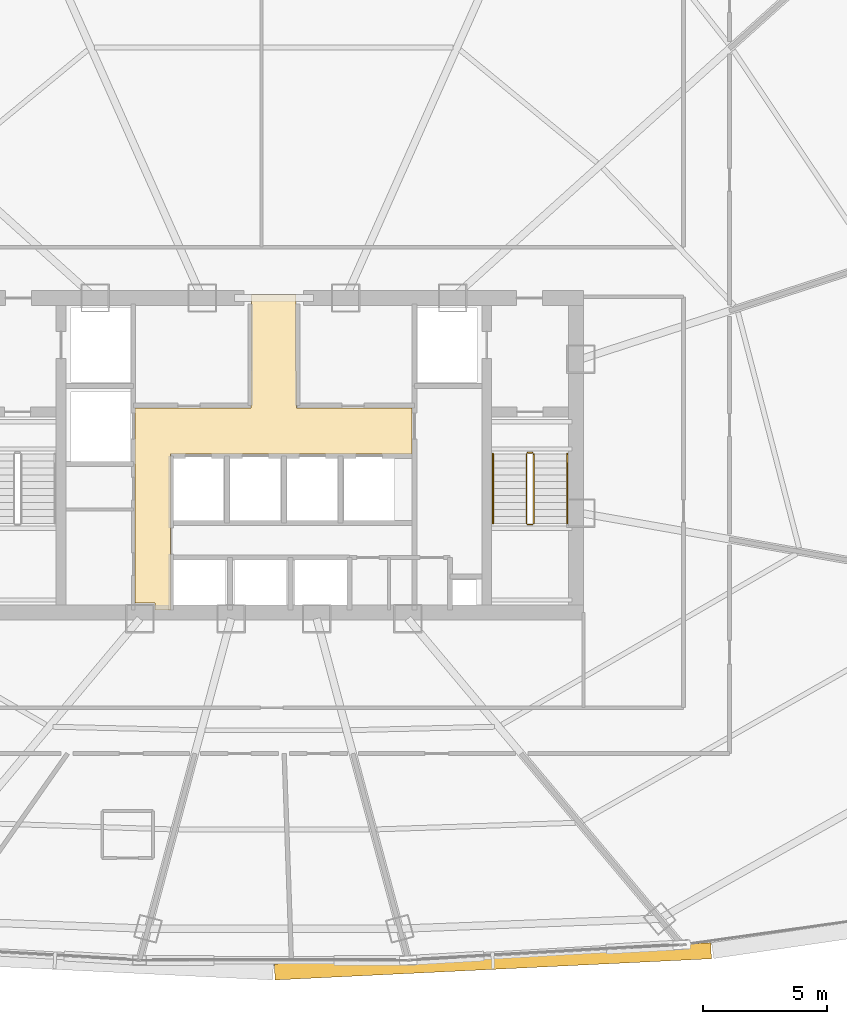
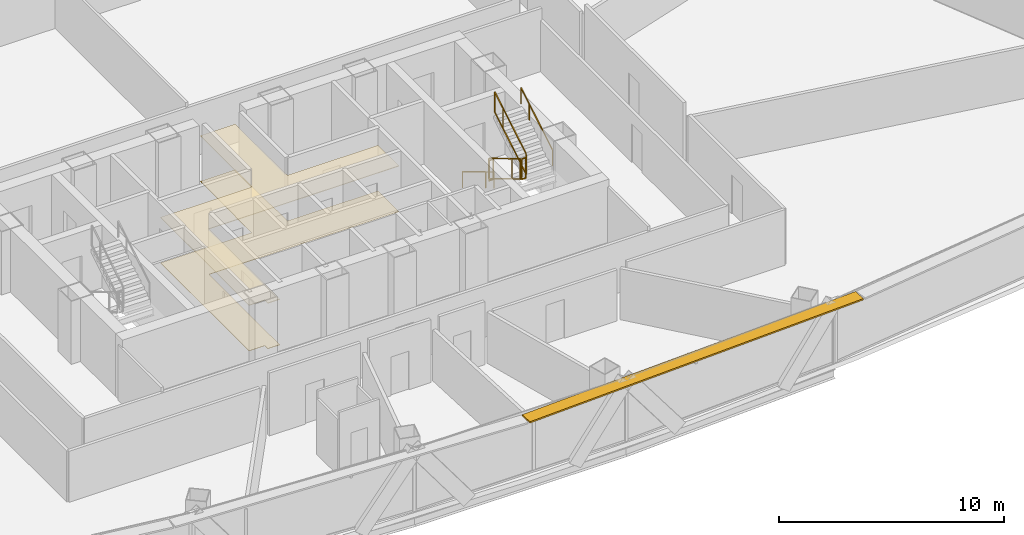
# One storey, part 39 of 41: 6 railings, 2 coverings, 1 shading device.
"""IFC4 building model written with IfcOpenShell, lengths in metres."""

from ifc_helpers import new_model, si_unit, direction, frame, origin, origin_2d, place, context, subcontext, project, spatial, polyline, rectangle, outline, extrude, source, transform, mapped, material, layer, layer_set, type_object, element, save


model = new_model("IFC4")

# Units and contexts
model_context = context("Model", 3, precision=1e-05, world=origin(), true_north=direction((0.0, 1.0)))
body_context = subcontext(model_context, "Body", "Model", "MODEL_VIEW")
ifc_project = project(units=[si_unit("LENGTHUNIT", "METRE"), si_unit("AREAUNIT", "SQUARE_METRE"), si_unit("VOLUMEUNIT", "CUBIC_METRE"), si_unit("PLANEANGLEUNIT", "RADIAN"), si_unit("MASSUNIT", "GRAM", prefix="KILO"), si_unit("THERMODYNAMICTEMPERATUREUNIT", "KELVIN"), si_unit("POWERUNIT", "WATT")], contexts=[model_context])

# Site, building, storey
site_placement = place(None, origin())
site = spatial("IfcSite", under=ifc_project, at=site_placement, CompositionType="ELEMENT")
building_placement = place(site_placement, origin())
building = spatial("IfcBuilding", under=site, at=building_placement, Name="Yunzhuo Pagoda Commons", CompositionType="ELEMENT")
storey_placement = place(building_placement, frame((0.0, 0.0, 155.590087890625)))
storey = spatial("IfcBuildingStorey", under=building, at=storey_placement, Name="L39", CompositionType="ELEMENT", Elevation=155.590087890625)

# Coverings
ifc_material_1 = material(Name="Perforated gypsum acoustic ceiling tile")
ifc_layer_1 = layer(ifc_material_1, 0.030029296875)
ifc_layer_set_1 = layer_set([ifc_layer_1], Name="Perforated gypsum acoustic ceiling tile")
covering_type_1 = type_object("IfcCoveringType", Name="COV-CL2 Ceiling 30", PredefinedType="CEILING", material=ifc_layer_set_1)
covering_1_placement = place(storey_placement, frame((0.0, 0.0, 2.469970703125)))
element("IfcCovering", 1, at=covering_1_placement, inside=storey, type_object=covering_type_1, Name="L39 lift lobby acoustic ceiling", PredefinedType="CEILING", context=body_context, shape_type="SweptSolid", body=[
    extrude(outline(polyline([(42.39990234375, 35.75), (47.080078125, 35.75), (47.080078125, 37.25), (47.10009765625, 37.25), (47.10009765625, 40.35009765625), (48.89990234375, 40.35009765625), (48.89990234375, 37.25), (48.919921875, 37.25), (48.919921875, 35.75), (53.580078125, 35.75), (53.580078125, 33.89990234375), (43.820068359375, 33.89990234375), (43.820068359375, 27.60009765625), (43.207763671875, 27.60009765625), (43.207763671875, 27.85009765625), (43.201904296875, 27.864013671875), (43.187744140625, 27.8701171875), (42.39990234375, 27.8701171875), (42.39990234375, 33.89990234375), (42.39990234375, 35.75)])), origin(), (0.0, 0.0, 1.0), 0.030029296875),
])
ifc_material_2 = material(Name="Porcelain ceramic floor tile")
ifc_layer_2 = layer(ifc_material_2, 0.02001953125)
ifc_layer_set_2 = layer_set([ifc_layer_2], Name="Porcelain ceramic floor tile")
covering_type_2 = type_object("IfcCoveringType", Name="COV-FL1 Flooring 20", PredefinedType="FLOORING", material=ifc_layer_set_2)
covering_2_placement = place(storey_placement, origin())
element("IfcCovering", 2, at=covering_2_placement, inside=storey, type_object=covering_type_2, Name="L39 lift lobby flooring", PredefinedType="FLOORING", context=body_context, shape_type="SweptSolid", body=[
    extrude(outline(polyline([(42.39990234375, 35.75), (47.080078125, 35.75), (47.080078125, 37.25), (47.10009765625, 37.25), (47.10009765625, 40.35009765625), (48.89990234375, 40.35009765625), (48.89990234375, 37.25), (48.919921875, 37.25), (48.919921875, 35.75), (53.580078125, 35.75), (53.580078125, 33.89990234375), (43.820068359375, 33.89990234375), (43.820068359375, 27.60009765625), (43.207763671875, 27.60009765625), (43.207763671875, 27.85009765625), (43.201904296875, 27.864013671875), (43.187744140625, 27.8701171875), (42.39990234375, 27.8701171875), (42.39990234375, 33.89990234375), (42.39990234375, 35.75)])), origin(), (0.0, 0.0, 1.0), 0.02001953125),
])

# Railings
ifc_material_3 = material(Name="Anodized aluminium 6063-T6", Category="aluminium")
railing_type_1 = type_object("IfcRailingType", Name="GR-ST2 Stair Well Guardrail 1160", PredefinedType="GUARDRAIL", material=ifc_material_3)
railing_1_placement = place(storey_placement, frame((58.199951171875, 33.89990234375, 0.167236328125)))
element("IfcRailing", 3, at=railing_1_placement, inside=storey, type_object=railing_type_1, Name="L39 ST2 stair guard 1", PredefinedType="GUARDRAIL", context=body_context, shape_type="SweptSolid", body=[
    extrude(rectangle(XDim=0.048095703125, YDim=0.048095703125, at=origin_2d()), frame((0.0, 0.0, 1.1259765625), z_axis=(0.0, -0.858475523978, 0.512854535645), x_axis=(1.0, 0.0, 0.0)), (0.0, 0.0, 1.0), 3.261474609375),
    extrude(rectangle(XDim=0.048095703125, YDim=0.048095703125, at=origin_2d()), frame((0.0, 0.0, 0.02392578125), z_axis=(0.0, -0.858475523978, 0.512854535645), x_axis=(1.0, 0.0, 0.0)), (0.0, 0.0, 1.0), 3.261474609375),
    extrude(rectangle(XDim=0.0419921875, YDim=0.0419921875, at=origin_2d()), origin(), (0.0, 0.0, 1.0), 1.101806640625),
    extrude(rectangle(XDim=0.0419921875, YDim=0.0419921875, at=origin_2d()), frame((0.0, -2.060302734375, 1.23095703125)), (0.0, 0.0, 1.0), 1.101806640625),
    extrude(rectangle(XDim=0.0419921875, YDim=0.0419921875, at=origin_2d()), frame((0.0, -2.7998046875, 1.672607421875)), (0.0, 0.0, 1.0), 1.101806640625),
])
railing_2_placement = place(storey_placement, frame((58.25, 31.050048828125, 1.83984375)))
element("IfcRailing", 4, at=railing_2_placement, inside=storey, type_object=railing_type_1, Name="L39 ST2 stair guard 2", PredefinedType="GUARDRAIL", context=body_context, shape_type="SweptSolid", body=[
    extrude(rectangle(XDim=0.048095703125, YDim=0.048095703125, at=origin_2d()), frame((0.0, 0.0, 1.1259765625), z_axis=(1.0, 0.0, 0.0), x_axis=(0.0, 1.0, 0.0)), (0.0, 0.0, 1.0), 0.199951171875),
    extrude(rectangle(XDim=0.048095703125, YDim=0.048095703125, at=origin_2d()), frame((0.0, 0.0, 0.02392578125), z_axis=(1.0, 0.0, 0.0), x_axis=(0.0, 1.0, 0.0)), (0.0, 0.0, 1.0), 0.199951171875),
    extrude(rectangle(XDim=0.0419921875, YDim=0.0419921875, at=origin_2d()), origin(), (0.0, 0.0, 1.0), 1.101806640625),
    extrude(rectangle(XDim=0.0419921875, YDim=0.0419921875, at=origin_2d()), frame((0.199951171875, 0.0, 0.0)), (0.0, 0.0, 1.0), 1.101806640625),
])
railing_3_placement = place(storey_placement, frame((58.5, 31.10009765625, 2.007080078125)))
element("IfcRailing", 5, at=railing_3_placement, inside=storey, type_object=railing_type_1, Name="L39 ST2 stair guard 3", PredefinedType="GUARDRAIL", context=body_context, shape_type="SweptSolid", body=[
    extrude(rectangle(XDim=0.048095703125, YDim=0.048095703125, at=origin_2d()), frame((0.0, 0.0, 1.1259765625), z_axis=(0.0, 0.858442565357, 0.512909701589), x_axis=(-1.0, 0.0, 0.0)), (0.0, 0.0, 1.0), 3.261474609375),
    extrude(rectangle(XDim=0.048095703125, YDim=0.048095703125, at=origin_2d()), frame((0.0, 0.0, 0.02392578125), z_axis=(0.0, 0.858442565357, 0.512909701589), x_axis=(-1.0, 0.0, 0.0)), (0.0, 0.0, 1.0), 3.261474609375),
    extrude(rectangle(XDim=0.0419921875, YDim=0.0419921875, at=origin_2d()), origin(), (0.0, 0.0, 1.0), 1.101806640625),
    extrude(rectangle(XDim=0.0419921875, YDim=0.0419921875, at=origin_2d()), frame((0.0, 2.060302734375, 1.23095703125)), (0.0, 0.0, 1.0), 1.101806640625),
    extrude(rectangle(XDim=0.0419921875, YDim=0.0419921875, at=origin_2d()), frame((0.0, 2.7998046875, 1.6728515625)), (0.0, 0.0, 1.0), 1.101806640625),
])
railing_4_placement = place(storey_placement, frame((58.25, 33.949951171875, 0.0)))
element("IfcRailing", 6, at=railing_4_placement, inside=storey, type_object=railing_type_1, Name="L39 ST2 stair guard 4", PredefinedType="GUARDRAIL", context=body_context, shape_type="SweptSolid", body=[
    extrude(rectangle(XDim=0.048095703125, YDim=0.048095703125, at=origin_2d()), frame((0.0, 0.0, 1.1259765625), z_axis=(1.0, 0.0, 0.0), x_axis=(0.0, 1.0, 0.0)), (0.0, 0.0, 1.0), 0.199951171875),
    extrude(rectangle(XDim=0.048095703125, YDim=0.048095703125, at=origin_2d()), frame((0.0, 0.0, 0.02392578125), z_axis=(1.0, 0.0, 0.0), x_axis=(0.0, 1.0, 0.0)), (0.0, 0.0, 1.0), 0.199951171875),
    extrude(rectangle(XDim=0.0419921875, YDim=0.0419921875, at=origin_2d()), origin(), (0.0, 0.0, 1.0), 1.101806640625),
    extrude(rectangle(XDim=0.0419921875, YDim=0.0419921875, at=origin_2d()), frame((0.199951171875, 0.0, 0.0)), (0.0, 0.0, 1.0), 1.101806640625),
])
railing_type_2 = type_object("IfcRailingType", Name="HR-ST2 Stair Handrail 900", PredefinedType="HANDRAIL", material=ifc_material_3)
railing_5_placement = place(storey_placement, frame((56.85009765625, 33.89990234375, 0.167236328125)))
element("IfcRailing", 7, at=railing_5_placement, inside=storey, type_object=railing_type_2, Name="L39 ST2 stair handrail 1", PredefinedType="HANDRAIL", context=body_context, shape_type="SweptSolid", body=[
    extrude(rectangle(XDim=0.048095703125, YDim=0.048095703125, at=origin_2d()), frame((0.0, 0.0, 0.8759765625), z_axis=(0.0, -0.858475523978, 0.512854535645), x_axis=(1.0, 0.0, 0.0)), (0.0, 0.0, 1.0), 3.261474609375),
    extrude(rectangle(XDim=0.0419921875, YDim=0.0419921875, at=origin_2d()), origin(), (0.0, 0.0, 1.0), 0.851806640625),
    extrude(rectangle(XDim=0.0419921875, YDim=0.0419921875, at=origin_2d()), frame((0.0, -2.060302734375, 1.23095703125)), (0.0, 0.0, 1.0), 0.851806640625),
    extrude(rectangle(XDim=0.0419921875, YDim=0.0419921875, at=origin_2d()), frame((0.0, -2.7998046875, 1.672607421875)), (0.0, 0.0, 1.0), 0.851806640625),
])
railing_6_placement = place(storey_placement, frame((59.85009765625, 31.10009765625, 2.007080078125)))
element("IfcRailing", 8, at=railing_6_placement, inside=storey, type_object=railing_type_2, Name="L39 ST2 stair handrail 2", PredefinedType="HANDRAIL", context=body_context, shape_type="SweptSolid", body=[
    extrude(rectangle(XDim=0.048095703125, YDim=0.048095703125, at=origin_2d()), frame((0.0, 0.0, 0.8759765625), z_axis=(0.0, 0.858442565357, 0.512909701589), x_axis=(-1.0, 0.0, 0.0)), (0.0, 0.0, 1.0), 3.261474609375),
    extrude(rectangle(XDim=0.0419921875, YDim=0.0419921875, at=origin_2d()), origin(), (0.0, 0.0, 1.0), 0.851806640625),
    extrude(rectangle(XDim=0.0419921875, YDim=0.0419921875, at=origin_2d()), frame((0.0, 2.060302734375, 1.23095703125)), (0.0, 0.0, 1.0), 0.851806640625),
    extrude(rectangle(XDim=0.0419921875, YDim=0.0419921875, at=origin_2d()), frame((0.0, 2.7998046875, 1.6728515625)), (0.0, 0.0, 1.0), 0.851806640625),
])

# Shading device
ifc_layer_3 = layer(ifc_material_3, 0.080078125)
ifc_layer_set_3 = layer_set([ifc_layer_3], Name="Anodized aluminium 6063-T6")
shading_device_type = type_object("IfcShadingDeviceType", Name="SH-SUN1 Pagoda Horizontal Sunshade Eave 650", PredefinedType="USERDEFINED", material=ifc_layer_set_3)
shared_shape = source(origin(), body_context, "Body", "SweptSolid", [
    extrude(rectangle(XDim=17.64990234375, YDim=0.64990234375, at=origin_2d()), origin(), (0.0, 0.0, 1.0), 0.080078125),
])
shading_device_placement = place(storey_placement, frame((56.84619140625, 13.40478515625, 3.33984375), z_axis=(0.0, 0.0, 1.0), x_axis=(0.998818043775, 0.04860571396, 0.0)))
element("IfcShadingDevice", 9, at=shading_device_placement, inside=storey, type_object=shading_device_type, Name="L39 horizontal pagoda sunshade eave F1.3", ObjectType="SUNSHADE", PredefinedType="USERDEFINED", context=body_context, shape_type="MappedRepresentation", body=[
    mapped(shared_shape, transform((0.0, 0.0, 0.0), scale=1.0)),
])

save(model, "model.ifc")
